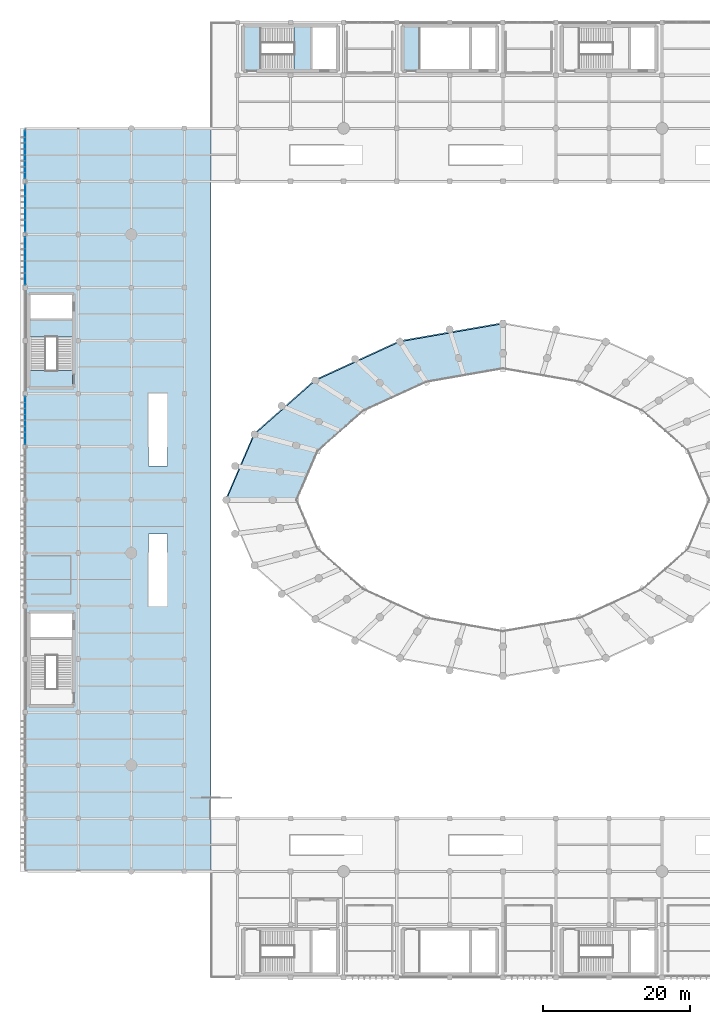
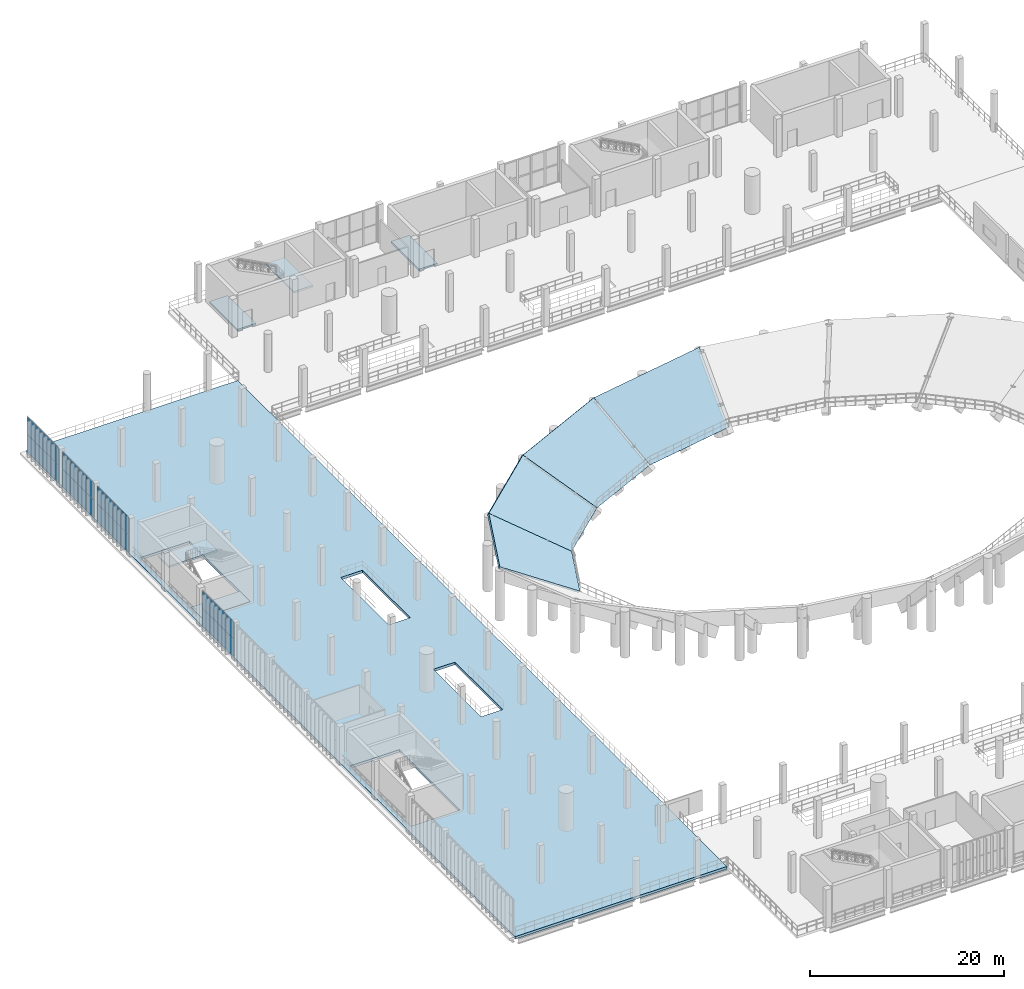
# One storey, part 77 of 105: 32 plates, 10 slabs, 6 elements without a shape of their own.
"""IFC4 building model written with IfcOpenShell, lengths in metres."""

from ifc_helpers import new_model, si_unit, direction, frame, origin, origin_2d, place, context, subcontext, project, spatial, polyline, rectangle, outline, extrude, material, layer, layer_set, type_object, element, aggregate, save


model = new_model("IFC4")

# Units and contexts
model_context = context("Model", 3, precision=1e-05, world=origin(), true_north=direction((0.0, 1.0)))
body_context = subcontext(model_context, "Body", "Model", "MODEL_VIEW")
ifc_project = project(units=[si_unit("LENGTHUNIT", "METRE"), si_unit("AREAUNIT", "SQUARE_METRE"), si_unit("VOLUMEUNIT", "CUBIC_METRE"), si_unit("PLANEANGLEUNIT", "RADIAN"), si_unit("MASSUNIT", "GRAM", prefix="KILO")], contexts=[model_context])

# Site, building, storey
site_placement = place(None, origin())
site = spatial("IfcSite", under=ifc_project, at=site_placement, CompositionType="ELEMENT")
building_placement = place(site_placement, origin())
building = spatial("IfcBuilding", under=site, at=building_placement, Name="Qandorah Velis Arena", CompositionType="ELEMENT")
storey_placement = place(building_placement, frame((0.0, 0.0, 13.800048828125)))
storey = spatial("IfcBuildingStorey", under=building, at=storey_placement, Name="L03", CompositionType="ELEMENT", Elevation=13.800048828125)

# Curtain wall, plates
ifc_material_1 = material(Name="Solar-control low-E double glazing", Category="glass")
curtain_wall_type_1 = type_object("IfcCurtainWallType", Name="ARC-CW-SYS05", PredefinedType="USERDEFINED", material=ifc_material_1)
curtain_wall_1_placement = place(storey_placement, origin())
curtain_wall_1 = element("IfcCurtainWall", 1, at=curtain_wall_1_placement, inside=storey, type_object=curtain_wall_type_1, Name="Unitised curtain wall L03-029", ObjectType="UNITISED CURTAIN WALL", PredefinedType="USERDEFINED")
ifc_layer_1 = layer(ifc_material_1, 0.02392578125)
ifc_layer_set_1 = layer_set([ifc_layer_1], Name="Solar-control low-E double glazing")
plate_type_1 = type_object("IfcPlateType", Name="ARC-CWP-GLZ24", PredefinedType="CURTAIN_PANEL", material=ifc_layer_set_1)
plate_1_placement = place(storey_placement, frame((0.0, 101.95947265625, 0.06494140625), z_axis=(0.0, 0.0, 1.0), x_axis=(0.0, 1.0, 0.0)))
plate_1 = element("IfcPlate", 2, at=plate_1_placement, type_object=plate_type_1, Name="CW05 panel 1.1", PredefinedType="CURTAIN_PANEL", context=body_context, shape_type="SweptSolid", body=[
    extrude(rectangle(XDim=1.538818359375, YDim=0.02392578125, at=origin_2d()), origin(), (0.0, 0.0, 1.0), 2.172607421875),
])
plate_2_placement = place(storey_placement, frame((0.0, 101.95947265625, 2.29248046875), z_axis=(0.0, 0.0, 1.0), x_axis=(0.0, 1.0, 0.0)))
plate_2 = element("IfcPlate", 3, at=plate_2_placement, type_object=plate_type_1, Name="CW05 panel 1.2", PredefinedType="CURTAIN_PANEL", context=body_context, shape_type="SweptSolid", body=[
    extrude(rectangle(XDim=1.538818359375, YDim=0.02392578125, at=origin_2d()), origin(), (0.0, 0.0, 1.0), 2.172607421875),
])
plate_3_placement = place(storey_placement, frame((0.0, 103.57177734375, 0.06494140625), z_axis=(0.0, 0.0, 1.0), x_axis=(0.0, 1.0, 0.0)))
plate_3 = element("IfcPlate", 4, at=plate_3_placement, type_object=plate_type_1, Name="CW05 panel 2.1", PredefinedType="CURTAIN_PANEL", context=body_context, shape_type="SweptSolid", body=[
    extrude(rectangle(XDim=1.576416015625, YDim=0.02392578125, at=origin_2d()), origin(), (0.0, 0.0, 1.0), 2.172607421875),
])
plate_4_placement = place(storey_placement, frame((0.0, 103.57177734375, 2.29248046875), z_axis=(0.0, 0.0, 1.0), x_axis=(0.0, 1.0, 0.0)))
plate_4 = element("IfcPlate", 5, at=plate_4_placement, type_object=plate_type_1, Name="CW05 panel 2.2", PredefinedType="CURTAIN_PANEL", context=body_context, shape_type="SweptSolid", body=[
    extrude(rectangle(XDim=1.576416015625, YDim=0.02392578125, at=origin_2d()), origin(), (0.0, 0.0, 1.0), 2.172607421875),
])
plate_5_placement = place(storey_placement, frame((0.0, 105.203125, 0.06494140625), z_axis=(0.0, 0.0, 1.0), x_axis=(0.0, 1.0, 0.0)))
plate_5 = element("IfcPlate", 6, at=plate_5_placement, type_object=plate_type_1, Name="CW05 panel 3.1", PredefinedType="CURTAIN_PANEL", context=body_context, shape_type="SweptSolid", body=[
    extrude(rectangle(XDim=1.576416015625, YDim=0.02392578125, at=origin_2d()), origin(), (0.0, 0.0, 1.0), 2.172607421875),
])
plate_6_placement = place(storey_placement, frame((0.0, 105.203125, 2.29248046875), z_axis=(0.0, 0.0, 1.0), x_axis=(0.0, 1.0, 0.0)))
plate_6 = element("IfcPlate", 7, at=plate_6_placement, type_object=plate_type_1, Name="CW05 panel 3.2", PredefinedType="CURTAIN_PANEL", context=body_context, shape_type="SweptSolid", body=[
    extrude(rectangle(XDim=1.576416015625, YDim=0.02392578125, at=origin_2d()), origin(), (0.0, 0.0, 1.0), 2.172607421875),
])
plate_7_placement = place(storey_placement, frame((0.0, 106.815673828125, 0.06494140625), z_axis=(0.0, 0.0, 1.0), x_axis=(0.0, 1.0, 0.0)))
plate_7 = element("IfcPlate", 8, at=plate_7_placement, type_object=plate_type_1, Name="CW05 panel 4.1", PredefinedType="CURTAIN_PANEL", context=body_context, shape_type="SweptSolid", body=[
    extrude(rectangle(XDim=1.538818359375, YDim=0.02392578125, at=origin_2d()), origin(), (0.0, 0.0, 1.0), 2.172607421875),
])
plate_8_placement = place(storey_placement, frame((0.0, 106.815673828125, 2.29248046875), z_axis=(0.0, 0.0, 1.0), x_axis=(0.0, 1.0, 0.0)))
plate_8 = element("IfcPlate", 9, at=plate_8_placement, type_object=plate_type_1, Name="CW05 panel 4.2", PredefinedType="CURTAIN_PANEL", context=body_context, shape_type="SweptSolid", body=[
    extrude(rectangle(XDim=1.538818359375, YDim=0.02392578125, at=origin_2d()), origin(), (0.0, 0.0, 1.0), 2.172607421875),
])
aggregate(curtain_wall_1, [plate_1, plate_2, plate_3, plate_4, plate_5, plate_6, plate_7, plate_8])

curtain_wall_type_2 = type_object("IfcCurtainWallType", Name="ARC-CW-SYS04", PredefinedType="USERDEFINED", material=ifc_material_1)
curtain_wall_2_placement = place(storey_placement, origin())
curtain_wall_2 = element("IfcCurtainWall", 10, at=curtain_wall_2_placement, inside=storey, type_object=curtain_wall_type_2, Name="Unitised curtain wall L03-028", ObjectType="UNITISED CURTAIN WALL", PredefinedType="USERDEFINED")
ifc_layer_2 = layer(ifc_material_1, 0.028076171875)
ifc_layer_set_2 = layer_set([ifc_layer_2], Name="Solar-control low-E double glazing")
plate_type_2 = type_object("IfcPlateType", Name="ARC-CWP-GLZ28", PredefinedType="CURTAIN_PANEL", material=ifc_layer_set_2)
plate_9_placement = place(storey_placement, frame((0.0, 94.779296875, 0.044921875), z_axis=(0.0, 0.0, 1.0), x_axis=(0.0, 1.0, 0.0)))
plate_9 = element("IfcPlate", 11, at=plate_9_placement, type_object=plate_type_2, Name="CW04 panel 1.1", PredefinedType="CURTAIN_PANEL", context=body_context, shape_type="SweptSolid", body=[
    extrude(rectangle(XDim=1.568603515625, YDim=0.028076171875, at=origin_2d()), origin(), (0.0, 0.0, 1.0), 2.202392578125),
])
plate_10_placement = place(storey_placement, frame((0.0, 94.779296875, 2.28271484375), z_axis=(0.0, 0.0, 1.0), x_axis=(0.0, 1.0, 0.0)))
plate_10 = element("IfcPlate", 12, at=plate_10_placement, type_object=plate_type_2, Name="CW04 panel 1.2", PredefinedType="CURTAIN_PANEL", context=body_context, shape_type="SweptSolid", body=[
    extrude(rectangle(XDim=1.568603515625, YDim=0.028076171875, at=origin_2d()), origin(), (0.0, 0.0, 1.0), 2.202392578125),
])
plate_11_placement = place(storey_placement, frame((0.0, 96.39697265625, 0.044921875), z_axis=(0.0, 0.0, 1.0), x_axis=(0.0, 1.0, 0.0)))
plate_11 = element("IfcPlate", 13, at=plate_11_placement, type_object=plate_type_2, Name="CW04 panel 2.1", PredefinedType="CURTAIN_PANEL", context=body_context, shape_type="SweptSolid", body=[
    extrude(rectangle(XDim=1.59619140625, YDim=0.028076171875, at=origin_2d()), origin(), (0.0, 0.0, 1.0), 2.202392578125),
])
plate_12_placement = place(storey_placement, frame((0.0, 96.39697265625, 2.28271484375), z_axis=(0.0, 0.0, 1.0), x_axis=(0.0, 1.0, 0.0)))
plate_12 = element("IfcPlate", 14, at=plate_12_placement, type_object=plate_type_2, Name="CW04 panel 2.2", PredefinedType="CURTAIN_PANEL", context=body_context, shape_type="SweptSolid", body=[
    extrude(rectangle(XDim=1.59619140625, YDim=0.028076171875, at=origin_2d()), origin(), (0.0, 0.0, 1.0), 2.202392578125),
])
plate_13_placement = place(storey_placement, frame((0.0, 98.028076171875, 0.044921875), z_axis=(0.0, 0.0, 1.0), x_axis=(0.0, 1.0, 0.0)))
plate_13 = element("IfcPlate", 15, at=plate_13_placement, type_object=plate_type_2, Name="CW04 panel 3.1", PredefinedType="CURTAIN_PANEL", context=body_context, shape_type="SweptSolid", body=[
    extrude(rectangle(XDim=1.59619140625, YDim=0.028076171875, at=origin_2d()), origin(), (0.0, 0.0, 1.0), 2.202392578125),
])
plate_14_placement = place(storey_placement, frame((0.0, 98.028076171875, 2.28271484375), z_axis=(0.0, 0.0, 1.0), x_axis=(0.0, 1.0, 0.0)))
plate_14 = element("IfcPlate", 16, at=plate_14_placement, type_object=plate_type_2, Name="CW04 panel 3.2", PredefinedType="CURTAIN_PANEL", context=body_context, shape_type="SweptSolid", body=[
    extrude(rectangle(XDim=1.59619140625, YDim=0.028076171875, at=origin_2d()), origin(), (0.0, 0.0, 1.0), 2.202392578125),
])
plate_15_placement = place(storey_placement, frame((0.0, 99.6455078125, 0.044921875), z_axis=(0.0, 0.0, 1.0), x_axis=(0.0, 1.0, 0.0)))
plate_15 = element("IfcPlate", 17, at=plate_15_placement, type_object=plate_type_2, Name="CW04 panel 4.1", PredefinedType="CURTAIN_PANEL", context=body_context, shape_type="SweptSolid", body=[
    extrude(rectangle(XDim=1.568603515625, YDim=0.028076171875, at=origin_2d()), origin(), (0.0, 0.0, 1.0), 2.202392578125),
])
plate_16_placement = place(storey_placement, frame((0.0, 99.6455078125, 2.28271484375), z_axis=(0.0, 0.0, 1.0), x_axis=(0.0, 1.0, 0.0)))
plate_16 = element("IfcPlate", 18, at=plate_16_placement, type_object=plate_type_2, Name="CW04 panel 4.2", PredefinedType="CURTAIN_PANEL", context=body_context, shape_type="SweptSolid", body=[
    extrude(rectangle(XDim=1.568603515625, YDim=0.028076171875, at=origin_2d()), origin(), (0.0, 0.0, 1.0), 2.202392578125),
])
aggregate(curtain_wall_2, [plate_9, plate_10, plate_11, plate_12, plate_13, plate_14, plate_15, plate_16])

curtain_wall_type_3 = type_object("IfcCurtainWallType", Name="ARC-CW-SYS03", PredefinedType="USERDEFINED", material=ifc_material_1)
curtain_wall_3_placement = place(storey_placement, origin())
curtain_wall_3 = element("IfcCurtainWall", 19, at=curtain_wall_3_placement, inside=storey, type_object=curtain_wall_type_3, Name="Unitised curtain wall L03-027", ObjectType="UNITISED CURTAIN WALL", PredefinedType="USERDEFINED")
ifc_layer_3 = layer(ifc_material_1, 0.030029296875)
ifc_layer_set_3 = layer_set([ifc_layer_3], Name="Solar-control low-E double glazing")
plate_type_3 = type_object("IfcPlateType", Name="ARC-CWP-GLZ30", PredefinedType="CURTAIN_PANEL", material=ifc_layer_set_3)
plate_17_placement = place(storey_placement, frame((0.0, 73.155517578125, 0.0498046875), z_axis=(0.0, 0.0, 1.0), x_axis=(0.0, 1.0, 0.0)))
plate_17 = element("IfcPlate", 20, at=plate_17_placement, type_object=plate_type_3, Name="CW03 panel 1.1", PredefinedType="CURTAIN_PANEL", context=body_context, shape_type="SweptSolid", body=[
    extrude(rectangle(XDim=1.561279296875, YDim=0.030029296875, at=origin_2d()), origin(), (0.0, 0.0, 1.0), 2.195068359375),
])
plate_18_placement = place(storey_placement, frame((0.0, 73.155517578125, 2.28515625), z_axis=(0.0, 0.0, 1.0), x_axis=(0.0, 1.0, 0.0)))
plate_18 = element("IfcPlate", 21, at=plate_18_placement, type_object=plate_type_3, Name="CW03 panel 1.2", PredefinedType="CURTAIN_PANEL", context=body_context, shape_type="SweptSolid", body=[
    extrude(rectangle(XDim=1.561279296875, YDim=0.030029296875, at=origin_2d()), origin(), (0.0, 0.0, 1.0), 2.195068359375),
])
plate_19_placement = place(storey_placement, frame((0.0, 74.77197265625, 0.0498046875), z_axis=(0.0, 0.0, 1.0), x_axis=(0.0, 1.0, 0.0)))
plate_19 = element("IfcPlate", 22, at=plate_19_placement, type_object=plate_type_3, Name="CW03 panel 2.1", PredefinedType="CURTAIN_PANEL", context=body_context, shape_type="SweptSolid", body=[
    extrude(rectangle(XDim=1.59130859375, YDim=0.030029296875, at=origin_2d()), origin(), (0.0, 0.0, 1.0), 2.195068359375),
])
plate_20_placement = place(storey_placement, frame((0.0, 74.77197265625, 2.28515625), z_axis=(0.0, 0.0, 1.0), x_axis=(0.0, 1.0, 0.0)))
plate_20 = element("IfcPlate", 23, at=plate_20_placement, type_object=plate_type_3, Name="CW03 panel 2.2", PredefinedType="CURTAIN_PANEL", context=body_context, shape_type="SweptSolid", body=[
    extrude(rectangle(XDim=1.59130859375, YDim=0.030029296875, at=origin_2d()), origin(), (0.0, 0.0, 1.0), 2.195068359375),
])
plate_21_placement = place(storey_placement, frame((0.0, 76.403076171875, 0.0498046875), z_axis=(0.0, 0.0, 1.0), x_axis=(0.0, 1.0, 0.0)))
plate_21 = element("IfcPlate", 24, at=plate_21_placement, type_object=plate_type_3, Name="CW03 panel 3.1", PredefinedType="CURTAIN_PANEL", context=body_context, shape_type="SweptSolid", body=[
    extrude(rectangle(XDim=1.59130859375, YDim=0.030029296875, at=origin_2d()), origin(), (0.0, 0.0, 1.0), 2.195068359375),
])
plate_22_placement = place(storey_placement, frame((0.0, 76.403076171875, 2.28515625), z_axis=(0.0, 0.0, 1.0), x_axis=(0.0, 1.0, 0.0)))
plate_22 = element("IfcPlate", 25, at=plate_22_placement, type_object=plate_type_3, Name="CW03 panel 3.2", PredefinedType="CURTAIN_PANEL", context=body_context, shape_type="SweptSolid", body=[
    extrude(rectangle(XDim=1.59130859375, YDim=0.030029296875, at=origin_2d()), origin(), (0.0, 0.0, 1.0), 2.195068359375),
])
plate_23_placement = place(storey_placement, frame((0.0, 78.019287109375, 0.0498046875), z_axis=(0.0, 0.0, 1.0), x_axis=(0.0, 1.0, 0.0)))
plate_23 = element("IfcPlate", 26, at=plate_23_placement, type_object=plate_type_3, Name="CW03 panel 4.1", PredefinedType="CURTAIN_PANEL", context=body_context, shape_type="SweptSolid", body=[
    extrude(rectangle(XDim=1.561279296875, YDim=0.030029296875, at=origin_2d()), origin(), (0.0, 0.0, 1.0), 2.195068359375),
])
plate_24_placement = place(storey_placement, frame((0.0, 78.019287109375, 2.28515625), z_axis=(0.0, 0.0, 1.0), x_axis=(0.0, 1.0, 0.0)))
plate_24 = element("IfcPlate", 27, at=plate_24_placement, type_object=plate_type_3, Name="CW03 panel 4.2", PredefinedType="CURTAIN_PANEL", context=body_context, shape_type="SweptSolid", body=[
    extrude(rectangle(XDim=1.561279296875, YDim=0.030029296875, at=origin_2d()), origin(), (0.0, 0.0, 1.0), 2.195068359375),
])
aggregate(curtain_wall_3, [plate_17, plate_18, plate_19, plate_20, plate_21, plate_22, plate_23, plate_24])

curtain_wall_type_4 = type_object("IfcCurtainWallType", Name="ARC-CW-SYS06", PredefinedType="USERDEFINED", material=ifc_material_1)
curtain_wall_4_placement = place(storey_placement, origin())
curtain_wall_4 = element("IfcCurtainWall", 28, at=curtain_wall_4_placement, inside=storey, type_object=curtain_wall_type_4, Name="Unitised curtain wall L03-030", ObjectType="UNITISED CURTAIN WALL", PredefinedType="USERDEFINED")
ifc_layer_4 = layer(ifc_material_1, 0.0439453125)
ifc_layer_set_4 = layer_set([ifc_layer_4], Name="Solar-control low-E double glazing")
plate_type_4 = type_object("IfcPlateType", Name="ARC-CWP-SPN44", PredefinedType="CURTAIN_PANEL", material=ifc_layer_set_4)
plate_25_placement = place(storey_placement, frame((0.0, 109.18505859375, 0.054931640625), z_axis=(0.0, 0.0, 1.0), x_axis=(0.0, 1.0, 0.0)))
plate_25 = element("IfcPlate", 29, at=plate_25_placement, type_object=plate_type_4, Name="CW06 panel 1.1", PredefinedType="CURTAIN_PANEL", context=body_context, shape_type="SweptSolid", body=[
    extrude(rectangle(XDim=1.56005859375, YDim=0.0439453125, at=origin_2d()), origin(), (0.0, 0.0, 1.0), 2.1875),
])
plate_26_placement = place(storey_placement, frame((0.0, 109.18505859375, 2.287353515625), z_axis=(0.0, 0.0, 1.0), x_axis=(0.0, 1.0, 0.0)))
plate_26 = element("IfcPlate", 30, at=plate_26_placement, type_object=plate_type_4, Name="CW06 panel 1.2", PredefinedType="CURTAIN_PANEL", context=body_context, shape_type="SweptSolid", body=[
    extrude(rectangle(XDim=1.56005859375, YDim=0.0439453125, at=origin_2d()), origin(), (0.0, 0.0, 1.0), 2.1875),
])
plate_27_placement = place(storey_placement, frame((0.0, 110.80615234375, 0.054931640625), z_axis=(0.0, 0.0, 1.0), x_axis=(0.0, 1.0, 0.0)))
plate_27 = element("IfcPlate", 31, at=plate_27_placement, type_object=plate_type_4, Name="CW06 panel 2.1", PredefinedType="CURTAIN_PANEL", context=body_context, shape_type="SweptSolid", body=[
    extrude(rectangle(XDim=1.592529296875, YDim=0.0439453125, at=origin_2d()), origin(), (0.0, 0.0, 1.0), 2.1875),
])
plate_28_placement = place(storey_placement, frame((0.0, 110.80615234375, 2.287353515625), z_axis=(0.0, 0.0, 1.0), x_axis=(0.0, 1.0, 0.0)))
plate_28 = element("IfcPlate", 32, at=plate_28_placement, type_object=plate_type_4, Name="CW06 panel 2.2", PredefinedType="CURTAIN_PANEL", context=body_context, shape_type="SweptSolid", body=[
    extrude(rectangle(XDim=1.592529296875, YDim=0.0439453125, at=origin_2d()), origin(), (0.0, 0.0, 1.0), 2.1875),
])
plate_29_placement = place(storey_placement, frame((0.0, 112.44384765625, 0.054931640625), z_axis=(0.0, 0.0, 1.0), x_axis=(0.0, 1.0, 0.0)))
plate_29 = element("IfcPlate", 33, at=plate_29_placement, type_object=plate_type_4, Name="CW06 panel 3.1", PredefinedType="CURTAIN_PANEL", context=body_context, shape_type="SweptSolid", body=[
    extrude(rectangle(XDim=1.592529296875, YDim=0.0439453125, at=origin_2d()), origin(), (0.0, 0.0, 1.0), 2.1875),
])
plate_30_placement = place(storey_placement, frame((0.0, 112.44384765625, 2.287353515625), z_axis=(0.0, 0.0, 1.0), x_axis=(0.0, 1.0, 0.0)))
plate_30 = element("IfcPlate", 34, at=plate_30_placement, type_object=plate_type_4, Name="CW06 panel 3.2", PredefinedType="CURTAIN_PANEL", context=body_context, shape_type="SweptSolid", body=[
    extrude(rectangle(XDim=1.592529296875, YDim=0.0439453125, at=origin_2d()), origin(), (0.0, 0.0, 1.0), 2.1875),
])
plate_31_placement = place(storey_placement, frame((0.0, 114.06494140625, 0.054931640625), z_axis=(0.0, 0.0, 1.0), x_axis=(0.0, 1.0, 0.0)))
plate_31 = element("IfcPlate", 35, at=plate_31_placement, type_object=plate_type_4, Name="CW06 panel 4.1", PredefinedType="CURTAIN_PANEL", context=body_context, shape_type="SweptSolid", body=[
    extrude(rectangle(XDim=1.56005859375, YDim=0.0439453125, at=origin_2d()), origin(), (0.0, 0.0, 1.0), 2.1875),
])
plate_32_placement = place(storey_placement, frame((0.0, 114.06494140625, 2.287353515625), z_axis=(0.0, 0.0, 1.0), x_axis=(0.0, 1.0, 0.0)))
plate_32 = element("IfcPlate", 36, at=plate_32_placement, type_object=plate_type_4, Name="CW06 panel 4.2", PredefinedType="CURTAIN_PANEL", context=body_context, shape_type="SweptSolid", body=[
    extrude(rectangle(XDim=1.56005859375, YDim=0.0439453125, at=origin_2d()), origin(), (0.0, 0.0, 1.0), 2.1875),
])
aggregate(curtain_wall_4, [plate_25, plate_26, plate_27, plate_28, plate_29, plate_30, plate_31, plate_32])

# Slabs
ifc_material_2 = material(Name="Concrete C40/50", Category="concrete")
ifc_layer_5 = layer(ifc_material_2, 0.320068359375)
ifc_layer_set_5 = layer_set([ifc_layer_5], Name="Concrete C40/50")
slab_type_1 = type_object("IfcSlabType", Name="STR-SLB-FL320", PredefinedType="FLOOR", material=ifc_layer_set_5)
slab_1_placement = place(storey_placement, frame((0.0, 0.0, -0.320068359375)))
element("IfcSlab", 37, at=slab_1_placement, inside=storey, type_object=slab_type_1, Name="Structural floor slab L03_WEST_UPPER", PredefinedType="FLOOR", context=body_context, shape_type="SweptSolid", body=[
    extrude(outline(polyline([(0.0, 115.199951171875), (25.199951171875, 115.199951171875), (25.199951171875, 14.39990234375), (0.0, 14.39990234375), (0.0, 115.199951171875)]), holes=[polyline([(6.455078125, 49.455078125), (0.64501953125, 49.455078125), (0.64501953125, 39.155029296875), (0.64501953125, 36.945068359375), (6.455078125, 36.945068359375), (6.455078125, 39.155029296875), (6.455078125, 49.455078125)]), polyline([(6.455078125, 82.35498046875), (6.455078125, 92.655029296875), (0.64501953125, 92.655029296875), (0.64501953125, 82.35498046875), (0.64501953125, 80.14501953125), (6.455078125, 80.14501953125), (6.455078125, 82.35498046875)]), polyline([(16.7099609375, 60.18994140625), (16.7099609375, 50.360107421875), (19.2900390625, 50.360107421875), (19.2900390625, 60.18994140625), (16.7099609375, 60.18994140625)]), polyline([(19.2900390625, 79.239990234375), (16.7099609375, 79.239990234375), (16.7099609375, 69.409912109375), (19.2900390625, 69.409912109375), (19.2900390625, 79.239990234375)])]), origin(), (0.0, 0.0, 1.0), 0.320068359375),
])
ifc_layer_6 = layer(ifc_material_2, 0.219970703125)
ifc_layer_set_6 = layer_set([ifc_layer_6], Name="Concrete C40/50")
slab_type_2 = type_object("IfcSlabType", Name="STR-SLB-LND220", PredefinedType="LANDING", material=ifc_layer_set_6)
slab_2_placement = place(storey_placement, frame((0.0, 0.0, -0.219970703125)))
element("IfcSlab", 38, at=slab_2_placement, inside=storey, type_object=slab_type_2, Name="Stair ST3 storey landing slab L03", PredefinedType="LANDING", context=body_context, shape_type="SweptSolid", body=[
    extrude(outline(polyline([(29.75, 123.14990234375), (31.949951171875, 123.14990234375), (31.949951171875, 128.949951171875), (29.75, 128.949951171875), (29.75, 123.14990234375)])), origin(), (0.0, 0.0, 1.0), 0.219970703125),
])

# Stair, slab
stair_type = type_object("IfcStairType", Name="ARC-ST-CORE48", PredefinedType="HALF_TURN_STAIR", material=ifc_material_2)
stair_1_placement = place(storey_placement, origin())
stair_1 = element("IfcStair", 39, at=stair_1_placement, inside=storey, type_object=stair_type, Name="Protected exit stair ST3 (L03)", PredefinedType="HALF_TURN_STAIR")
slab_3_placement = place(storey_placement, frame((0.0, 0.0, 2.179931640625)))
slab_3 = element("IfcSlab", 40, at=slab_3_placement, type_object=slab_type_2, Name="ST3 landing 1", PredefinedType="LANDING", context=body_context, shape_type="SweptSolid", body=[
    extrude(outline(polyline([(36.486083984375, 123.14990234375), (38.736083984375, 123.14990234375), (38.736083984375, 128.949951171875), (36.486083984375, 128.949951171875), (36.486083984375, 123.14990234375)])), origin(), (0.0, 0.0, 1.0), 0.219970703125),
])
aggregate(stair_1, [slab_3])

# Slab
slab_4_placement = place(storey_placement, frame((0.0, 0.0, -0.219970703125)))
element("IfcSlab", 41, at=slab_4_placement, inside=storey, type_object=slab_type_2, Name="Stair ST6 storey landing slab L03", PredefinedType="LANDING", context=body_context, shape_type="SweptSolid", body=[
    extrude(outline(polyline([(0.64990234375, 80.14990234375), (6.449951171875, 80.14990234375), (6.449951171875, 82.35009765625), (0.64990234375, 82.35009765625), (0.64990234375, 80.14990234375)])), origin(), (0.0, 0.0, 1.0), 0.219970703125),
])

# Stair, slab
stair_2_placement = place(storey_placement, origin())
stair_2 = element("IfcStair", 42, at=stair_2_placement, inside=storey, type_object=stair_type, Name="Protected exit stair ST6 (L03)", PredefinedType="HALF_TURN_STAIR")
slab_5_placement = place(storey_placement, frame((0.0, 0.0, 2.179931640625)))
slab_5 = element("IfcSlab", 43, at=slab_5_placement, type_object=slab_type_2, Name="ST6 landing 1", PredefinedType="LANDING", context=body_context, shape_type="SweptSolid", body=[
    extrude(outline(polyline([(0.64990234375, 86.885986328125), (6.449951171875, 86.885986328125), (6.449951171875, 89.135986328125), (0.64990234375, 89.135986328125), (0.64990234375, 86.885986328125)])), origin(), (0.0, 0.0, 1.0), 0.219970703125),
])
aggregate(stair_2, [slab_5])

# Slabs
slab_6_placement = place(storey_placement, frame((0.0, 0.0, -0.219970703125)))
element("IfcSlab", 44, at=slab_6_placement, inside=storey, type_object=slab_type_2, Name="Stair ST10 storey landing slab L03", PredefinedType="LANDING", context=body_context, shape_type="SweptSolid", body=[
    extrude(outline(polyline([(51.35009765625, 123.14990234375), (53.550048828125, 123.14990234375), (53.550048828125, 128.949951171875), (51.35009765625, 128.949951171875), (51.35009765625, 123.14990234375)])), origin(), (0.0, 0.0, 1.0), 0.219970703125),
])
ifc_material_3 = material(Name="Precast concrete C40/50", Category="concrete")
ifc_layer_7 = layer(ifc_material_3, 0.22998046875)
ifc_layer_set_7 = layer_set([ifc_layer_7], Name="Precast concrete C40/50")
slab_type_3 = type_object("IfcSlabType", Name="STR-SLB-TIER230", PredefinedType="USERDEFINED", material=ifc_layer_set_7)
slab_7_placement = place(storey_placement, frame((64.800048828125, 82.629150390625, 0.0), z_axis=(0.12557970108, -0.720277897157, 0.682223929179), x_axis=(-0.985139078196, -0.171758541595, -6.01265e-07)))
element("IfcSlab", 45, at=slab_7_placement, inside=storey, type_object=slab_type_3, Name="Stand upper tier bay 05", ObjectType="SEATING TIER", PredefinedType="USERDEFINED", context=body_context, shape_type="SweptSolid", body=[
    extrude(outline(polyline([(0.0, 0.0), (10.573886923904414, 0.0), (13.127645768920477, -8.753291351788203), (-1.0411642067428308, -8.753271004330603), (0.0, 0.0)])), origin(), (0.0, 0.0, -1.0), 0.22998046875),
])
slab_8_placement = place(storey_placement, frame((54.38330078125, 80.81298828125, 0.0), z_axis=(0.294367374695, -0.641372097731, 0.708512301211), x_axis=(-0.908845310882, -0.417133313063, -4.600999e-06)))
element("IfcSlab", 46, at=slab_8_placement, inside=storey, type_object=slab_type_3, Name="Stand upper tier bay 06", ObjectType="SEATING TIER", PredefinedType="USERDEFINED", context=body_context, shape_type="SweptSolid", body=[
    extrude(outline(polyline([(0.0, 0.0), (9.419434659791941, 4.440892098500626e-16), (13.569558375575774, -9.068979349618072), (0.9476358856810457, -9.068835644794905), (0.0, 0.0)])), origin(), (0.0, 0.0, -1.0), 0.22998046875),
])
slab_9_placement = place(storey_placement, frame((45.822509765625, 76.8837890625, 0.0), z_axis=(0.434732292991, -0.492113028214, 0.754209918321), x_axis=(-0.749448968531, -0.662062114584, 3.66603e-07)))
element("IfcSlab", 47, at=slab_9_placement, inside=storey, type_object=slab_type_3, Name="Stand upper tier bay 07", ObjectType="SEATING TIER", PredefinedType="USERDEFINED", context=body_context, shape_type="SweptSolid", body=[
    extrude(outline(polyline([(0.0, 0.0), (8.233260269280676, 0.0), (13.148236742326606, -9.746530854878172), (2.1153817441693286, -9.746541611272749), (0.0, 0.0)])), origin(), (0.0, 0.0, -1.0), 0.22998046875),
])
slab_10_placement = place(storey_placement, frame((39.652099609375, 71.432861328125, 0.0), z_axis=(0.542516117703, -0.233278602449, 0.80700517698), x_axis=(-0.395021631406, -0.918671818834, -1.085654e-06)))
element("IfcSlab", 48, at=slab_10_placement, inside=storey, type_object=slab_type_3, Name="Stand upper tier bay 08", ObjectType="SEATING TIER", PredefinedType="USERDEFINED", context=body_context, shape_type="SweptSolid", body=[
    extrude(outline(polyline([(0.0, 0.0), (7.219999675823445, 0.0), (10.98060637399681, -10.837313280812616), (1.305822149707478, -10.837282221523175), (0.0, 0.0)])), origin(), (0.0, 0.0, -1.0), 0.22998046875),
])

save(model, "model.ifc")
